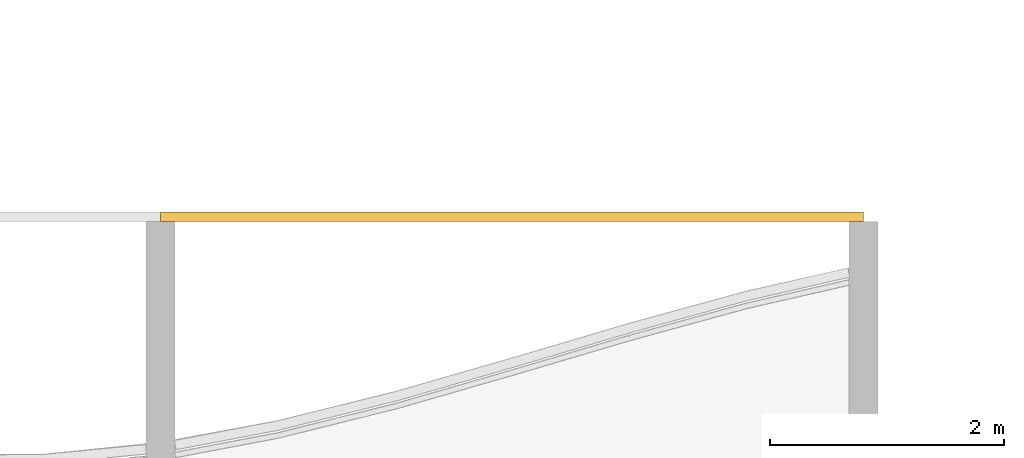
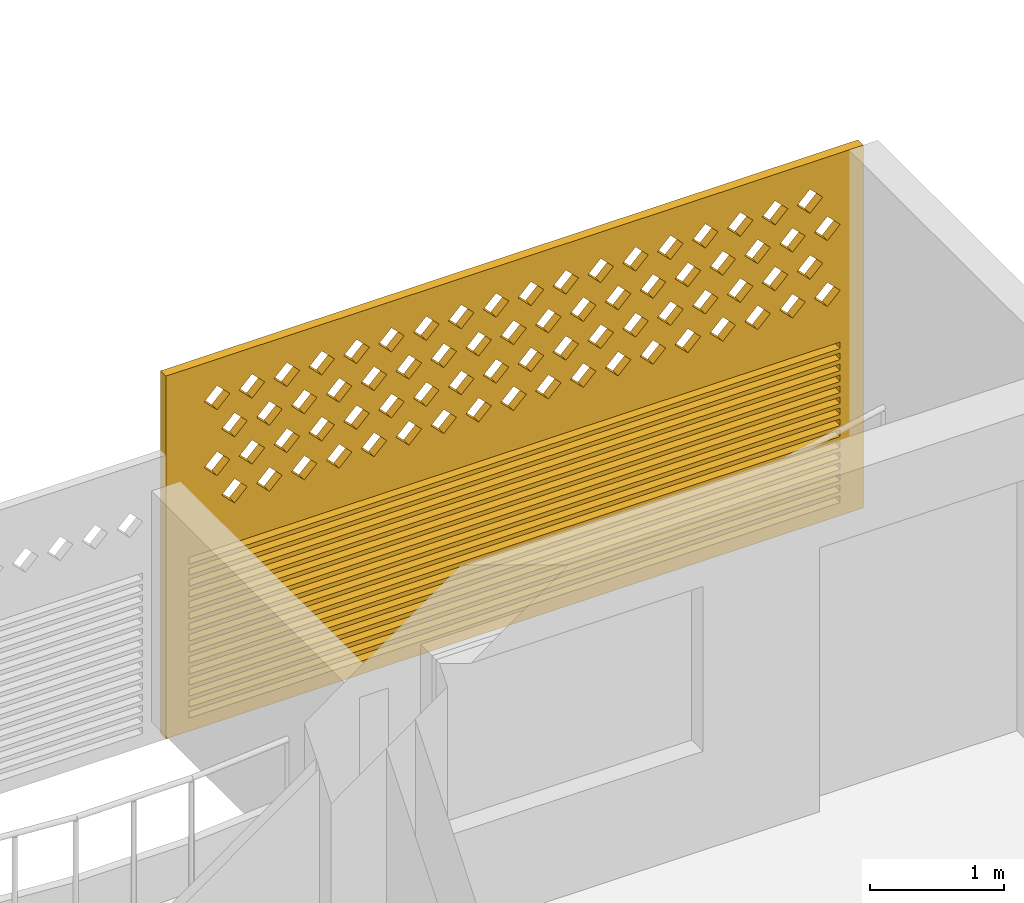
# One storey, part 20 of 20: 1 covering.
"""IFC4 building model written with IfcOpenShell, lengths in metres."""

from ifc_helpers import new_model, si_unit, direction, frame, origin, place, context, subcontext, project, spatial, polyline, outline, extrude, source, transform, mapped, material, material_profile, profile_set, type_object, element, save


model = new_model("IFC4")

# Units and contexts
model_context = context("Model", 3, precision=1e-05, world=origin(), true_north=direction((0.0, 1.0)))
body_context = subcontext(model_context, "Body", "Model", "MODEL_VIEW")
ifc_project = project(units=[si_unit("LENGTHUNIT", "METRE"), si_unit("AREAUNIT", "SQUARE_METRE"), si_unit("VOLUMEUNIT", "CUBIC_METRE"), si_unit("PLANEANGLEUNIT", "RADIAN"), si_unit("MASSUNIT", "GRAM", prefix="KILO")], contexts=[model_context])

# Site, building, storey
site_placement = place(None, origin())
site = spatial("IfcSite", under=ifc_project, at=site_placement, CompositionType="ELEMENT")
building_placement = place(site_placement, origin())
building = spatial("IfcBuilding", under=site, at=building_placement, Name="Poui Terraces", CompositionType="ELEMENT")
storey_placement = place(building_placement, frame((0.0, 0.0, 257.699951171875)))
storey = spatial("IfcBuildingStorey", under=building, at=storey_placement, Name="L72", CompositionType="ELEMENT", Elevation=257.699951171875)

# Covering
ifc_material = material(Name="Terracotta screen", Category="masonry")
ifc_material_profile = material_profile(ifc_material, outline(polyline([(-3.0, -1.64990234375), (3.0, -1.64990234375), (3.0, 1.64990234375), (-3.0, 1.64990234375), (-3.0, -1.64990234375)]), holes=[polyline([(-2.800048828125, 0.39990234375), (-2.68994140625, 0.2900390625), (-2.580078125, 0.39990234375), (-2.68994140625, 0.510009765625), (-2.800048828125, 0.39990234375)]), polyline([(-2.5, 0.39990234375), (-2.389892578125, 0.2900390625), (-2.280029296875, 0.39990234375), (-2.389892578125, 0.510009765625), (-2.5, 0.39990234375)]), polyline([(-2.199951171875, 0.39990234375), (-2.090087890625, 0.2900390625), (-1.97998046875, 0.39990234375), (-2.090087890625, 0.510009765625), (-2.199951171875, 0.39990234375)]), polyline([(-1.89990234375, 0.39990234375), (-1.7900390625, 0.2900390625), (-1.679931640625, 0.39990234375), (-1.7900390625, 0.510009765625), (-1.89990234375, 0.39990234375)]), polyline([(-1.60009765625, 0.39990234375), (-1.489990234375, 0.2900390625), (-1.3798828125, 0.39990234375), (-1.489990234375, 0.510009765625), (-1.60009765625, 0.39990234375)]), polyline([(-1.300048828125, 0.39990234375), (-1.18994140625, 0.2900390625), (-1.080078125, 0.39990234375), (-1.18994140625, 0.510009765625), (-1.300048828125, 0.39990234375)]), polyline([(-1.0, 0.39990234375), (-0.889892578125, 0.2900390625), (-0.780029296875, 0.39990234375), (-0.889892578125, 0.510009765625), (-1.0, 0.39990234375)]), polyline([(-0.699951171875, 0.39990234375), (-0.590087890625, 0.2900390625), (-0.47998046875, 0.39990234375), (-0.590087890625, 0.510009765625), (-0.699951171875, 0.39990234375)]), polyline([(-0.39990234375, 0.39990234375), (-0.2900390625, 0.2900390625), (-0.179931640625, 0.39990234375), (-0.2900390625, 0.510009765625), (-0.39990234375, 0.39990234375)]), polyline([(-0.10009765625, 0.39990234375), (0.010009765625, 0.2900390625), (0.1201171875, 0.39990234375), (0.010009765625, 0.510009765625), (-0.10009765625, 0.39990234375)]), polyline([(0.199951171875, 0.39990234375), (0.31005859375, 0.2900390625), (0.419921875, 0.39990234375), (0.31005859375, 0.510009765625), (0.199951171875, 0.39990234375)]), polyline([(0.5, 0.39990234375), (0.610107421875, 0.2900390625), (0.719970703125, 0.39990234375), (0.610107421875, 0.510009765625), (0.5, 0.39990234375)]), polyline([(0.800048828125, 0.39990234375), (0.909912109375, 0.2900390625), (1.02001953125, 0.39990234375), (0.909912109375, 0.510009765625), (0.800048828125, 0.39990234375)]), polyline([(1.10009765625, 0.39990234375), (1.2099609375, 0.2900390625), (1.320068359375, 0.39990234375), (1.2099609375, 0.510009765625), (1.10009765625, 0.39990234375)]), polyline([(1.39990234375, 0.39990234375), (1.510009765625, 0.2900390625), (1.6201171875, 0.39990234375), (1.510009765625, 0.510009765625), (1.39990234375, 0.39990234375)]), polyline([(1.699951171875, 0.39990234375), (1.81005859375, 0.2900390625), (1.919921875, 0.39990234375), (1.81005859375, 0.510009765625), (1.699951171875, 0.39990234375)]), polyline([(2.0, 0.39990234375), (2.110107421875, 0.2900390625), (2.219970703125, 0.39990234375), (2.110107421875, 0.510009765625), (2.0, 0.39990234375)]), polyline([(2.300048828125, 0.39990234375), (2.409912109375, 0.2900390625), (2.52001953125, 0.39990234375), (2.409912109375, 0.510009765625), (2.300048828125, 0.39990234375)]), polyline([(-2.64990234375, 0.699951171875), (-2.5400390625, 0.590087890625), (-2.429931640625, 0.699951171875), (-2.5400390625, 0.81005859375), (-2.64990234375, 0.699951171875)]), polyline([(-2.35009765625, 0.699951171875), (-2.239990234375, 0.590087890625), (-2.1298828125, 0.699951171875), (-2.239990234375, 0.81005859375), (-2.35009765625, 0.699951171875)]), polyline([(-2.050048828125, 0.699951171875), (-1.93994140625, 0.590087890625), (-1.830078125, 0.699951171875), (-1.93994140625, 0.81005859375), (-2.050048828125, 0.699951171875)]), polyline([(-1.75, 0.699951171875), (-1.639892578125, 0.590087890625), (-1.530029296875, 0.699951171875), (-1.639892578125, 0.81005859375), (-1.75, 0.699951171875)]), polyline([(-1.449951171875, 0.699951171875), (-1.340087890625, 0.590087890625), (-1.22998046875, 0.699951171875), (-1.340087890625, 0.81005859375), (-1.449951171875, 0.699951171875)]), polyline([(-1.14990234375, 0.699951171875), (-1.0400390625, 0.590087890625), (-0.929931640625, 0.699951171875), (-1.0400390625, 0.81005859375), (-1.14990234375, 0.699951171875)]), polyline([(-0.85009765625, 0.699951171875), (-0.739990234375, 0.590087890625), (-0.6298828125, 0.699951171875), (-0.739990234375, 0.81005859375), (-0.85009765625, 0.699951171875)]), polyline([(-0.550048828125, 0.699951171875), (-0.43994140625, 0.590087890625), (-0.330078125, 0.699951171875), (-0.43994140625, 0.81005859375), (-0.550048828125, 0.699951171875)]), polyline([(-0.25, 0.699951171875), (-0.139892578125, 0.590087890625), (-0.030029296875, 0.699951171875), (-0.139892578125, 0.81005859375), (-0.25, 0.699951171875)]), polyline([(0.050048828125, 0.699951171875), (0.159912109375, 0.590087890625), (0.27001953125, 0.699951171875), (0.159912109375, 0.81005859375), (0.050048828125, 0.699951171875)]), polyline([(0.35009765625, 0.699951171875), (0.4599609375, 0.590087890625), (0.570068359375, 0.699951171875), (0.4599609375, 0.81005859375), (0.35009765625, 0.699951171875)]), polyline([(0.64990234375, 0.699951171875), (0.760009765625, 0.590087890625), (0.8701171875, 0.699951171875), (0.760009765625, 0.81005859375), (0.64990234375, 0.699951171875)]), polyline([(0.949951171875, 0.699951171875), (1.06005859375, 0.590087890625), (1.169921875, 0.699951171875), (1.06005859375, 0.81005859375), (0.949951171875, 0.699951171875)]), polyline([(1.25, 0.699951171875), (1.360107421875, 0.590087890625), (1.469970703125, 0.699951171875), (1.360107421875, 0.81005859375), (1.25, 0.699951171875)]), polyline([(1.550048828125, 0.699951171875), (1.659912109375, 0.590087890625), (1.77001953125, 0.699951171875), (1.659912109375, 0.81005859375), (1.550048828125, 0.699951171875)]), polyline([(1.85009765625, 0.699951171875), (1.9599609375, 0.590087890625), (2.070068359375, 0.699951171875), (1.9599609375, 0.81005859375), (1.85009765625, 0.699951171875)]), polyline([(2.14990234375, 0.699951171875), (2.260009765625, 0.590087890625), (2.3701171875, 0.699951171875), (2.260009765625, 0.81005859375), (2.14990234375, 0.699951171875)]), polyline([(2.449951171875, 0.699951171875), (2.56005859375, 0.590087890625), (2.669921875, 0.699951171875), (2.56005859375, 0.81005859375), (2.449951171875, 0.699951171875)]), polyline([(-2.800048828125, 1.0), (-2.68994140625, 0.889892578125), (-2.580078125, 1.0), (-2.68994140625, 1.110107421875), (-2.800048828125, 1.0)]), polyline([(-2.5, 1.0), (-2.389892578125, 0.889892578125), (-2.280029296875, 1.0), (-2.389892578125, 1.110107421875), (-2.5, 1.0)]), polyline([(-2.199951171875, 1.0), (-2.090087890625, 0.889892578125), (-1.97998046875, 1.0), (-2.090087890625, 1.110107421875), (-2.199951171875, 1.0)]), polyline([(-1.89990234375, 1.0), (-1.7900390625, 0.889892578125), (-1.679931640625, 1.0), (-1.7900390625, 1.110107421875), (-1.89990234375, 1.0)]), polyline([(-1.60009765625, 1.0), (-1.489990234375, 0.889892578125), (-1.3798828125, 1.0), (-1.489990234375, 1.110107421875), (-1.60009765625, 1.0)]), polyline([(-1.300048828125, 1.0), (-1.18994140625, 0.889892578125), (-1.080078125, 1.0), (-1.18994140625, 1.110107421875), (-1.300048828125, 1.0)]), polyline([(-1.0, 1.0), (-0.889892578125, 0.889892578125), (-0.780029296875, 1.0), (-0.889892578125, 1.110107421875), (-1.0, 1.0)]), polyline([(-0.699951171875, 1.0), (-0.590087890625, 0.889892578125), (-0.47998046875, 1.0), (-0.590087890625, 1.110107421875), (-0.699951171875, 1.0)]), polyline([(-0.39990234375, 1.0), (-0.2900390625, 0.889892578125), (-0.179931640625, 1.0), (-0.2900390625, 1.110107421875), (-0.39990234375, 1.0)]), polyline([(-0.10009765625, 1.0), (0.010009765625, 0.889892578125), (0.1201171875, 1.0), (0.010009765625, 1.110107421875), (-0.10009765625, 1.0)]), polyline([(0.199951171875, 1.0), (0.31005859375, 0.889892578125), (0.419921875, 1.0), (0.31005859375, 1.110107421875), (0.199951171875, 1.0)]), polyline([(0.5, 1.0), (0.610107421875, 0.889892578125), (0.719970703125, 1.0), (0.610107421875, 1.110107421875), (0.5, 1.0)]), polyline([(0.800048828125, 1.0), (0.909912109375, 0.889892578125), (1.02001953125, 1.0), (0.909912109375, 1.110107421875), (0.800048828125, 1.0)]), polyline([(1.10009765625, 1.0), (1.2099609375, 0.889892578125), (1.320068359375, 1.0), (1.2099609375, 1.110107421875), (1.10009765625, 1.0)]), polyline([(1.39990234375, 1.0), (1.510009765625, 0.889892578125), (1.6201171875, 1.0), (1.510009765625, 1.110107421875), (1.39990234375, 1.0)]), polyline([(1.699951171875, 1.0), (1.81005859375, 0.889892578125), (1.919921875, 1.0), (1.81005859375, 1.110107421875), (1.699951171875, 1.0)]), polyline([(2.0, 1.0), (2.110107421875, 0.889892578125), (2.219970703125, 1.0), (2.110107421875, 1.110107421875), (2.0, 1.0)]), polyline([(2.300048828125, 1.0), (2.409912109375, 0.889892578125), (2.52001953125, 1.0), (2.409912109375, 1.110107421875), (2.300048828125, 1.0)]), polyline([(-2.64990234375, 1.300048828125), (-2.5400390625, 1.18994140625), (-2.429931640625, 1.300048828125), (-2.5400390625, 1.409912109375), (-2.64990234375, 1.300048828125)]), polyline([(-2.35009765625, 1.300048828125), (-2.239990234375, 1.18994140625), (-2.1298828125, 1.300048828125), (-2.239990234375, 1.409912109375), (-2.35009765625, 1.300048828125)]), polyline([(-2.050048828125, 1.300048828125), (-1.93994140625, 1.18994140625), (-1.830078125, 1.300048828125), (-1.93994140625, 1.409912109375), (-2.050048828125, 1.300048828125)]), polyline([(-1.75, 1.300048828125), (-1.639892578125, 1.18994140625), (-1.530029296875, 1.300048828125), (-1.639892578125, 1.409912109375), (-1.75, 1.300048828125)]), polyline([(-1.449951171875, 1.300048828125), (-1.340087890625, 1.18994140625), (-1.22998046875, 1.300048828125), (-1.340087890625, 1.409912109375), (-1.449951171875, 1.300048828125)]), polyline([(-1.14990234375, 1.300048828125), (-1.0400390625, 1.18994140625), (-0.929931640625, 1.300048828125), (-1.0400390625, 1.409912109375), (-1.14990234375, 1.300048828125)]), polyline([(-0.85009765625, 1.300048828125), (-0.739990234375, 1.18994140625), (-0.6298828125, 1.300048828125), (-0.739990234375, 1.409912109375), (-0.85009765625, 1.300048828125)]), polyline([(-0.550048828125, 1.300048828125), (-0.43994140625, 1.18994140625), (-0.330078125, 1.300048828125), (-0.43994140625, 1.409912109375), (-0.550048828125, 1.300048828125)]), polyline([(-0.25, 1.300048828125), (-0.139892578125, 1.18994140625), (-0.030029296875, 1.300048828125), (-0.139892578125, 1.409912109375), (-0.25, 1.300048828125)]), polyline([(0.050048828125, 1.300048828125), (0.159912109375, 1.18994140625), (0.27001953125, 1.300048828125), (0.159912109375, 1.409912109375), (0.050048828125, 1.300048828125)]), polyline([(0.35009765625, 1.300048828125), (0.4599609375, 1.18994140625), (0.570068359375, 1.300048828125), (0.4599609375, 1.409912109375), (0.35009765625, 1.300048828125)]), polyline([(0.64990234375, 1.300048828125), (0.760009765625, 1.18994140625), (0.8701171875, 1.300048828125), (0.760009765625, 1.409912109375), (0.64990234375, 1.300048828125)]), polyline([(0.949951171875, 1.300048828125), (1.06005859375, 1.18994140625), (1.169921875, 1.300048828125), (1.06005859375, 1.409912109375), (0.949951171875, 1.300048828125)]), polyline([(1.25, 1.300048828125), (1.360107421875, 1.18994140625), (1.469970703125, 1.300048828125), (1.360107421875, 1.409912109375), (1.25, 1.300048828125)]), polyline([(1.550048828125, 1.300048828125), (1.659912109375, 1.18994140625), (1.77001953125, 1.300048828125), (1.659912109375, 1.409912109375), (1.550048828125, 1.300048828125)]), polyline([(1.85009765625, 1.300048828125), (1.9599609375, 1.18994140625), (2.070068359375, 1.300048828125), (1.9599609375, 1.409912109375), (1.85009765625, 1.300048828125)]), polyline([(2.14990234375, 1.300048828125), (2.260009765625, 1.18994140625), (2.3701171875, 1.300048828125), (2.260009765625, 1.409912109375), (2.14990234375, 1.300048828125)]), polyline([(2.449951171875, 1.300048828125), (2.56005859375, 1.18994140625), (2.669921875, 1.300048828125), (2.56005859375, 1.409912109375), (2.449951171875, 1.300048828125)]), polyline([(-2.800048828125, -1.530029296875), (2.800048828125, -1.530029296875), (2.800048828125, -1.469970703125), (-2.800048828125, -1.469970703125), (-2.800048828125, -1.530029296875)]), polyline([(-2.800048828125, -1.429931640625), (2.800048828125, -1.429931640625), (2.800048828125, -1.3701171875), (-2.800048828125, -1.3701171875), (-2.800048828125, -1.429931640625)]), polyline([(-2.800048828125, -1.330078125), (2.800048828125, -1.330078125), (2.800048828125, -1.27001953125), (-2.800048828125, -1.27001953125), (-2.800048828125, -1.330078125)]), polyline([(-2.800048828125, -1.22998046875), (2.800048828125, -1.22998046875), (2.800048828125, -1.169921875), (-2.800048828125, -1.169921875), (-2.800048828125, -1.22998046875)]), polyline([(-2.800048828125, -1.1298828125), (2.800048828125, -1.1298828125), (2.800048828125, -1.070068359375), (-2.800048828125, -1.070068359375), (-2.800048828125, -1.1298828125)]), polyline([(-2.800048828125, -1.030029296875), (2.800048828125, -1.030029296875), (2.800048828125, -0.969970703125), (-2.800048828125, -0.969970703125), (-2.800048828125, -1.030029296875)]), polyline([(-2.800048828125, -0.929931640625), (2.800048828125, -0.929931640625), (2.800048828125, -0.8701171875), (-2.800048828125, -0.8701171875), (-2.800048828125, -0.929931640625)]), polyline([(-2.800048828125, -0.830078125), (2.800048828125, -0.830078125), (2.800048828125, -0.77001953125), (-2.800048828125, -0.77001953125), (-2.800048828125, -0.830078125)]), polyline([(-2.800048828125, -0.72998046875), (2.800048828125, -0.72998046875), (2.800048828125, -0.669921875), (-2.800048828125, -0.669921875), (-2.800048828125, -0.72998046875)]), polyline([(-2.800048828125, -0.6298828125), (2.800048828125, -0.6298828125), (2.800048828125, -0.570068359375), (-2.800048828125, -0.570068359375), (-2.800048828125, -0.6298828125)]), polyline([(-2.800048828125, -0.530029296875), (2.800048828125, -0.530029296875), (2.800048828125, -0.469970703125), (-2.800048828125, -0.469970703125), (-2.800048828125, -0.530029296875)]), polyline([(-2.800048828125, -0.429931640625), (2.800048828125, -0.429931640625), (2.800048828125, -0.3701171875), (-2.800048828125, -0.3701171875), (-2.800048828125, -0.429931640625)]), polyline([(-2.800048828125, -0.330078125), (2.800048828125, -0.330078125), (2.800048828125, -0.27001953125), (-2.800048828125, -0.27001953125), (-2.800048828125, -0.330078125)]), polyline([(-2.800048828125, -0.22998046875), (2.800048828125, -0.22998046875), (2.800048828125, -0.169921875), (-2.800048828125, -0.169921875), (-2.800048828125, -0.22998046875)]), polyline([(-2.800048828125, -0.1298828125), (2.800048828125, -0.1298828125), (2.800048828125, -0.070068359375), (-2.800048828125, -0.070068359375), (-2.800048828125, -0.1298828125)])]), Name="TERRACOTTA SCREEN AND JALOUSIE LOUVRE 6000X3300")
ifc_profile_set = profile_set([ifc_material_profile], Name="Terracotta screen")
covering_type = type_object("IfcCoveringType", Name="TERRACOTTA SCREEN AND JALOUSIE LOUVRE 6000X3300", PredefinedType="CLADDING", material=ifc_profile_set)
shared_shape = source(origin(), body_context, "Body", "SweptSolid", [
    extrude(outline(polyline([(-3.0, -1.64990234375), (3.0, -1.64990234375), (3.0, 1.64990234375), (-3.0, 1.64990234375), (-3.0, -1.64990234375)]), holes=[polyline([(-2.800048828125, 0.39990234375), (-2.68994140625, 0.2900390625), (-2.580078125, 0.39990234375), (-2.68994140625, 0.510009765625), (-2.800048828125, 0.39990234375)]), polyline([(-2.5, 0.39990234375), (-2.389892578125, 0.2900390625), (-2.280029296875, 0.39990234375), (-2.389892578125, 0.510009765625), (-2.5, 0.39990234375)]), polyline([(-2.199951171875, 0.39990234375), (-2.090087890625, 0.2900390625), (-1.97998046875, 0.39990234375), (-2.090087890625, 0.510009765625), (-2.199951171875, 0.39990234375)]), polyline([(-1.89990234375, 0.39990234375), (-1.7900390625, 0.2900390625), (-1.679931640625, 0.39990234375), (-1.7900390625, 0.510009765625), (-1.89990234375, 0.39990234375)]), polyline([(-1.60009765625, 0.39990234375), (-1.489990234375, 0.2900390625), (-1.3798828125, 0.39990234375), (-1.489990234375, 0.510009765625), (-1.60009765625, 0.39990234375)]), polyline([(-1.300048828125, 0.39990234375), (-1.18994140625, 0.2900390625), (-1.080078125, 0.39990234375), (-1.18994140625, 0.510009765625), (-1.300048828125, 0.39990234375)]), polyline([(-1.0, 0.39990234375), (-0.889892578125, 0.2900390625), (-0.780029296875, 0.39990234375), (-0.889892578125, 0.510009765625), (-1.0, 0.39990234375)]), polyline([(-0.699951171875, 0.39990234375), (-0.590087890625, 0.2900390625), (-0.47998046875, 0.39990234375), (-0.590087890625, 0.510009765625), (-0.699951171875, 0.39990234375)]), polyline([(-0.39990234375, 0.39990234375), (-0.2900390625, 0.2900390625), (-0.179931640625, 0.39990234375), (-0.2900390625, 0.510009765625), (-0.39990234375, 0.39990234375)]), polyline([(-0.10009765625, 0.39990234375), (0.010009765625, 0.2900390625), (0.1201171875, 0.39990234375), (0.010009765625, 0.510009765625), (-0.10009765625, 0.39990234375)]), polyline([(0.199951171875, 0.39990234375), (0.31005859375, 0.2900390625), (0.419921875, 0.39990234375), (0.31005859375, 0.510009765625), (0.199951171875, 0.39990234375)]), polyline([(0.5, 0.39990234375), (0.610107421875, 0.2900390625), (0.719970703125, 0.39990234375), (0.610107421875, 0.510009765625), (0.5, 0.39990234375)]), polyline([(0.800048828125, 0.39990234375), (0.909912109375, 0.2900390625), (1.02001953125, 0.39990234375), (0.909912109375, 0.510009765625), (0.800048828125, 0.39990234375)]), polyline([(1.10009765625, 0.39990234375), (1.2099609375, 0.2900390625), (1.320068359375, 0.39990234375), (1.2099609375, 0.510009765625), (1.10009765625, 0.39990234375)]), polyline([(1.39990234375, 0.39990234375), (1.510009765625, 0.2900390625), (1.6201171875, 0.39990234375), (1.510009765625, 0.510009765625), (1.39990234375, 0.39990234375)]), polyline([(1.699951171875, 0.39990234375), (1.81005859375, 0.2900390625), (1.919921875, 0.39990234375), (1.81005859375, 0.510009765625), (1.699951171875, 0.39990234375)]), polyline([(2.0, 0.39990234375), (2.110107421875, 0.2900390625), (2.219970703125, 0.39990234375), (2.110107421875, 0.510009765625), (2.0, 0.39990234375)]), polyline([(2.300048828125, 0.39990234375), (2.409912109375, 0.2900390625), (2.52001953125, 0.39990234375), (2.409912109375, 0.510009765625), (2.300048828125, 0.39990234375)]), polyline([(-2.64990234375, 0.699951171875), (-2.5400390625, 0.590087890625), (-2.429931640625, 0.699951171875), (-2.5400390625, 0.81005859375), (-2.64990234375, 0.699951171875)]), polyline([(-2.35009765625, 0.699951171875), (-2.239990234375, 0.590087890625), (-2.1298828125, 0.699951171875), (-2.239990234375, 0.81005859375), (-2.35009765625, 0.699951171875)]), polyline([(-2.050048828125, 0.699951171875), (-1.93994140625, 0.590087890625), (-1.830078125, 0.699951171875), (-1.93994140625, 0.81005859375), (-2.050048828125, 0.699951171875)]), polyline([(-1.75, 0.699951171875), (-1.639892578125, 0.590087890625), (-1.530029296875, 0.699951171875), (-1.639892578125, 0.81005859375), (-1.75, 0.699951171875)]), polyline([(-1.449951171875, 0.699951171875), (-1.340087890625, 0.590087890625), (-1.22998046875, 0.699951171875), (-1.340087890625, 0.81005859375), (-1.449951171875, 0.699951171875)]), polyline([(-1.14990234375, 0.699951171875), (-1.0400390625, 0.590087890625), (-0.929931640625, 0.699951171875), (-1.0400390625, 0.81005859375), (-1.14990234375, 0.699951171875)]), polyline([(-0.85009765625, 0.699951171875), (-0.739990234375, 0.590087890625), (-0.6298828125, 0.699951171875), (-0.739990234375, 0.81005859375), (-0.85009765625, 0.699951171875)]), polyline([(-0.550048828125, 0.699951171875), (-0.43994140625, 0.590087890625), (-0.330078125, 0.699951171875), (-0.43994140625, 0.81005859375), (-0.550048828125, 0.699951171875)]), polyline([(-0.25, 0.699951171875), (-0.139892578125, 0.590087890625), (-0.030029296875, 0.699951171875), (-0.139892578125, 0.81005859375), (-0.25, 0.699951171875)]), polyline([(0.050048828125, 0.699951171875), (0.159912109375, 0.590087890625), (0.27001953125, 0.699951171875), (0.159912109375, 0.81005859375), (0.050048828125, 0.699951171875)]), polyline([(0.35009765625, 0.699951171875), (0.4599609375, 0.590087890625), (0.570068359375, 0.699951171875), (0.4599609375, 0.81005859375), (0.35009765625, 0.699951171875)]), polyline([(0.64990234375, 0.699951171875), (0.760009765625, 0.590087890625), (0.8701171875, 0.699951171875), (0.760009765625, 0.81005859375), (0.64990234375, 0.699951171875)]), polyline([(0.949951171875, 0.699951171875), (1.06005859375, 0.590087890625), (1.169921875, 0.699951171875), (1.06005859375, 0.81005859375), (0.949951171875, 0.699951171875)]), polyline([(1.25, 0.699951171875), (1.360107421875, 0.590087890625), (1.469970703125, 0.699951171875), (1.360107421875, 0.81005859375), (1.25, 0.699951171875)]), polyline([(1.550048828125, 0.699951171875), (1.659912109375, 0.590087890625), (1.77001953125, 0.699951171875), (1.659912109375, 0.81005859375), (1.550048828125, 0.699951171875)]), polyline([(1.85009765625, 0.699951171875), (1.9599609375, 0.590087890625), (2.070068359375, 0.699951171875), (1.9599609375, 0.81005859375), (1.85009765625, 0.699951171875)]), polyline([(2.14990234375, 0.699951171875), (2.260009765625, 0.590087890625), (2.3701171875, 0.699951171875), (2.260009765625, 0.81005859375), (2.14990234375, 0.699951171875)]), polyline([(2.449951171875, 0.699951171875), (2.56005859375, 0.590087890625), (2.669921875, 0.699951171875), (2.56005859375, 0.81005859375), (2.449951171875, 0.699951171875)]), polyline([(-2.800048828125, 1.0), (-2.68994140625, 0.889892578125), (-2.580078125, 1.0), (-2.68994140625, 1.110107421875), (-2.800048828125, 1.0)]), polyline([(-2.5, 1.0), (-2.389892578125, 0.889892578125), (-2.280029296875, 1.0), (-2.389892578125, 1.110107421875), (-2.5, 1.0)]), polyline([(-2.199951171875, 1.0), (-2.090087890625, 0.889892578125), (-1.97998046875, 1.0), (-2.090087890625, 1.110107421875), (-2.199951171875, 1.0)]), polyline([(-1.89990234375, 1.0), (-1.7900390625, 0.889892578125), (-1.679931640625, 1.0), (-1.7900390625, 1.110107421875), (-1.89990234375, 1.0)]), polyline([(-1.60009765625, 1.0), (-1.489990234375, 0.889892578125), (-1.3798828125, 1.0), (-1.489990234375, 1.110107421875), (-1.60009765625, 1.0)]), polyline([(-1.300048828125, 1.0), (-1.18994140625, 0.889892578125), (-1.080078125, 1.0), (-1.18994140625, 1.110107421875), (-1.300048828125, 1.0)]), polyline([(-1.0, 1.0), (-0.889892578125, 0.889892578125), (-0.780029296875, 1.0), (-0.889892578125, 1.110107421875), (-1.0, 1.0)]), polyline([(-0.699951171875, 1.0), (-0.590087890625, 0.889892578125), (-0.47998046875, 1.0), (-0.590087890625, 1.110107421875), (-0.699951171875, 1.0)]), polyline([(-0.39990234375, 1.0), (-0.2900390625, 0.889892578125), (-0.179931640625, 1.0), (-0.2900390625, 1.110107421875), (-0.39990234375, 1.0)]), polyline([(-0.10009765625, 1.0), (0.010009765625, 0.889892578125), (0.1201171875, 1.0), (0.010009765625, 1.110107421875), (-0.10009765625, 1.0)]), polyline([(0.199951171875, 1.0), (0.31005859375, 0.889892578125), (0.419921875, 1.0), (0.31005859375, 1.110107421875), (0.199951171875, 1.0)]), polyline([(0.5, 1.0), (0.610107421875, 0.889892578125), (0.719970703125, 1.0), (0.610107421875, 1.110107421875), (0.5, 1.0)]), polyline([(0.800048828125, 1.0), (0.909912109375, 0.889892578125), (1.02001953125, 1.0), (0.909912109375, 1.110107421875), (0.800048828125, 1.0)]), polyline([(1.10009765625, 1.0), (1.2099609375, 0.889892578125), (1.320068359375, 1.0), (1.2099609375, 1.110107421875), (1.10009765625, 1.0)]), polyline([(1.39990234375, 1.0), (1.510009765625, 0.889892578125), (1.6201171875, 1.0), (1.510009765625, 1.110107421875), (1.39990234375, 1.0)]), polyline([(1.699951171875, 1.0), (1.81005859375, 0.889892578125), (1.919921875, 1.0), (1.81005859375, 1.110107421875), (1.699951171875, 1.0)]), polyline([(2.0, 1.0), (2.110107421875, 0.889892578125), (2.219970703125, 1.0), (2.110107421875, 1.110107421875), (2.0, 1.0)]), polyline([(2.300048828125, 1.0), (2.409912109375, 0.889892578125), (2.52001953125, 1.0), (2.409912109375, 1.110107421875), (2.300048828125, 1.0)]), polyline([(-2.64990234375, 1.300048828125), (-2.5400390625, 1.18994140625), (-2.429931640625, 1.300048828125), (-2.5400390625, 1.409912109375), (-2.64990234375, 1.300048828125)]), polyline([(-2.35009765625, 1.300048828125), (-2.239990234375, 1.18994140625), (-2.1298828125, 1.300048828125), (-2.239990234375, 1.409912109375), (-2.35009765625, 1.300048828125)]), polyline([(-2.050048828125, 1.300048828125), (-1.93994140625, 1.18994140625), (-1.830078125, 1.300048828125), (-1.93994140625, 1.409912109375), (-2.050048828125, 1.300048828125)]), polyline([(-1.75, 1.300048828125), (-1.639892578125, 1.18994140625), (-1.530029296875, 1.300048828125), (-1.639892578125, 1.409912109375), (-1.75, 1.300048828125)]), polyline([(-1.449951171875, 1.300048828125), (-1.340087890625, 1.18994140625), (-1.22998046875, 1.300048828125), (-1.340087890625, 1.409912109375), (-1.449951171875, 1.300048828125)]), polyline([(-1.14990234375, 1.300048828125), (-1.0400390625, 1.18994140625), (-0.929931640625, 1.300048828125), (-1.0400390625, 1.409912109375), (-1.14990234375, 1.300048828125)]), polyline([(-0.85009765625, 1.300048828125), (-0.739990234375, 1.18994140625), (-0.6298828125, 1.300048828125), (-0.739990234375, 1.409912109375), (-0.85009765625, 1.300048828125)]), polyline([(-0.550048828125, 1.300048828125), (-0.43994140625, 1.18994140625), (-0.330078125, 1.300048828125), (-0.43994140625, 1.409912109375), (-0.550048828125, 1.300048828125)]), polyline([(-0.25, 1.300048828125), (-0.139892578125, 1.18994140625), (-0.030029296875, 1.300048828125), (-0.139892578125, 1.409912109375), (-0.25, 1.300048828125)]), polyline([(0.050048828125, 1.300048828125), (0.159912109375, 1.18994140625), (0.27001953125, 1.300048828125), (0.159912109375, 1.409912109375), (0.050048828125, 1.300048828125)]), polyline([(0.35009765625, 1.300048828125), (0.4599609375, 1.18994140625), (0.570068359375, 1.300048828125), (0.4599609375, 1.409912109375), (0.35009765625, 1.300048828125)]), polyline([(0.64990234375, 1.300048828125), (0.760009765625, 1.18994140625), (0.8701171875, 1.300048828125), (0.760009765625, 1.409912109375), (0.64990234375, 1.300048828125)]), polyline([(0.949951171875, 1.300048828125), (1.06005859375, 1.18994140625), (1.169921875, 1.300048828125), (1.06005859375, 1.409912109375), (0.949951171875, 1.300048828125)]), polyline([(1.25, 1.300048828125), (1.360107421875, 1.18994140625), (1.469970703125, 1.300048828125), (1.360107421875, 1.409912109375), (1.25, 1.300048828125)]), polyline([(1.550048828125, 1.300048828125), (1.659912109375, 1.18994140625), (1.77001953125, 1.300048828125), (1.659912109375, 1.409912109375), (1.550048828125, 1.300048828125)]), polyline([(1.85009765625, 1.300048828125), (1.9599609375, 1.18994140625), (2.070068359375, 1.300048828125), (1.9599609375, 1.409912109375), (1.85009765625, 1.300048828125)]), polyline([(2.14990234375, 1.300048828125), (2.260009765625, 1.18994140625), (2.3701171875, 1.300048828125), (2.260009765625, 1.409912109375), (2.14990234375, 1.300048828125)]), polyline([(2.449951171875, 1.300048828125), (2.56005859375, 1.18994140625), (2.669921875, 1.300048828125), (2.56005859375, 1.409912109375), (2.449951171875, 1.300048828125)]), polyline([(-2.800048828125, -1.530029296875), (2.800048828125, -1.530029296875), (2.800048828125, -1.469970703125), (-2.800048828125, -1.469970703125), (-2.800048828125, -1.530029296875)]), polyline([(-2.800048828125, -1.429931640625), (2.800048828125, -1.429931640625), (2.800048828125, -1.3701171875), (-2.800048828125, -1.3701171875), (-2.800048828125, -1.429931640625)]), polyline([(-2.800048828125, -1.330078125), (2.800048828125, -1.330078125), (2.800048828125, -1.27001953125), (-2.800048828125, -1.27001953125), (-2.800048828125, -1.330078125)]), polyline([(-2.800048828125, -1.22998046875), (2.800048828125, -1.22998046875), (2.800048828125, -1.169921875), (-2.800048828125, -1.169921875), (-2.800048828125, -1.22998046875)]), polyline([(-2.800048828125, -1.1298828125), (2.800048828125, -1.1298828125), (2.800048828125, -1.070068359375), (-2.800048828125, -1.070068359375), (-2.800048828125, -1.1298828125)]), polyline([(-2.800048828125, -1.030029296875), (2.800048828125, -1.030029296875), (2.800048828125, -0.969970703125), (-2.800048828125, -0.969970703125), (-2.800048828125, -1.030029296875)]), polyline([(-2.800048828125, -0.929931640625), (2.800048828125, -0.929931640625), (2.800048828125, -0.8701171875), (-2.800048828125, -0.8701171875), (-2.800048828125, -0.929931640625)]), polyline([(-2.800048828125, -0.830078125), (2.800048828125, -0.830078125), (2.800048828125, -0.77001953125), (-2.800048828125, -0.77001953125), (-2.800048828125, -0.830078125)]), polyline([(-2.800048828125, -0.72998046875), (2.800048828125, -0.72998046875), (2.800048828125, -0.669921875), (-2.800048828125, -0.669921875), (-2.800048828125, -0.72998046875)]), polyline([(-2.800048828125, -0.6298828125), (2.800048828125, -0.6298828125), (2.800048828125, -0.570068359375), (-2.800048828125, -0.570068359375), (-2.800048828125, -0.6298828125)]), polyline([(-2.800048828125, -0.530029296875), (2.800048828125, -0.530029296875), (2.800048828125, -0.469970703125), (-2.800048828125, -0.469970703125), (-2.800048828125, -0.530029296875)]), polyline([(-2.800048828125, -0.429931640625), (2.800048828125, -0.429931640625), (2.800048828125, -0.3701171875), (-2.800048828125, -0.3701171875), (-2.800048828125, -0.429931640625)]), polyline([(-2.800048828125, -0.330078125), (2.800048828125, -0.330078125), (2.800048828125, -0.27001953125), (-2.800048828125, -0.27001953125), (-2.800048828125, -0.330078125)]), polyline([(-2.800048828125, -0.22998046875), (2.800048828125, -0.22998046875), (2.800048828125, -0.169921875), (-2.800048828125, -0.169921875), (-2.800048828125, -0.22998046875)]), polyline([(-2.800048828125, -0.1298828125), (2.800048828125, -0.1298828125), (2.800048828125, -0.070068359375), (-2.800048828125, -0.070068359375), (-2.800048828125, -0.1298828125)])]), origin(), (0.0, 0.0, 1.0), 0.080078125),
])
covering_placement = place(storey_placement, frame((75.0, 44.5, 1.449951171875), z_axis=(0.0, 1.0, 0.0), x_axis=(-1.0, 0.0, 0.0)))
element("IfcCovering", 1, at=covering_placement, inside=storey, type_object=covering_type, Name="SOLAR SCREEN AND JALOUSIE LOUVRE", PredefinedType="CLADDING", context=body_context, shape_type="MappedRepresentation", body=[
    mapped(shared_shape, transform((0.0, 0.0, 0.0))),
])

save(model, "model.ifc")
